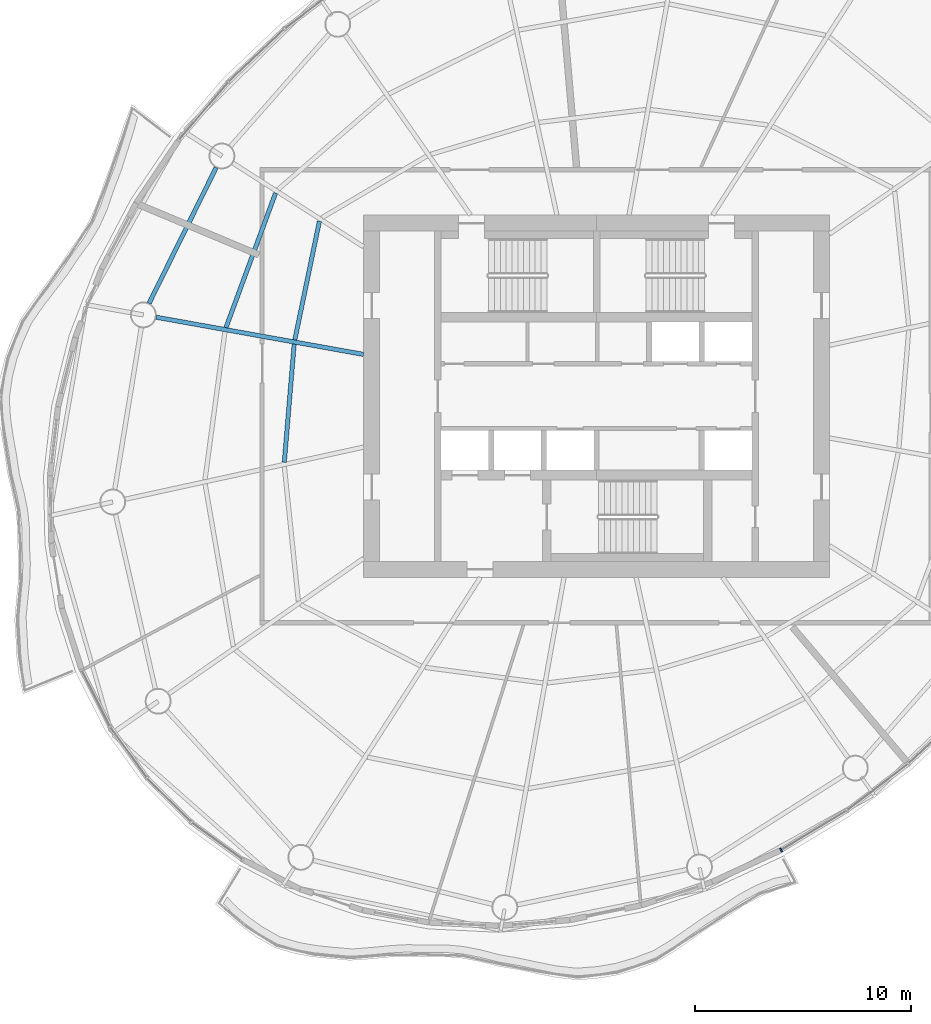
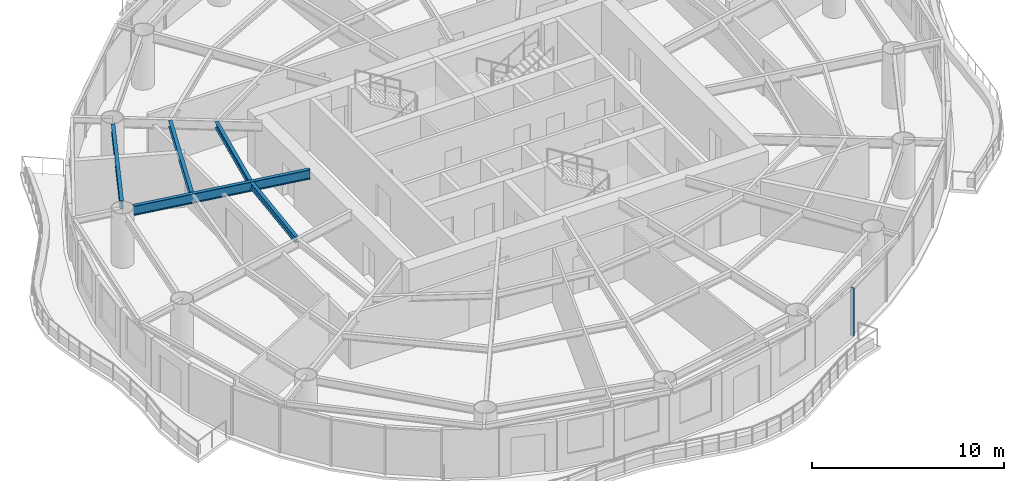
# One storey, part 3 of 14: 5 beams, 1 member, 1 element without a shape of its own.
"""IFC4 building model written with IfcOpenShell, lengths in metres."""

import ifcopenshell
import ifcopenshell.guid

model = None  # the IFC model being written
_history = None  # IfcOwnerHistory: only IFC2X3 demands one
_inside = {}  # id of a spatial element -> (the spatial element, [elements in it])
_under = {}  # id of a project, library or spatial element -> (it, [spatial elements below it])
_declared = {}  # id of a project -> (the project, [libraries it declares])
_typed = {}  # id of a type object -> (the type object, [elements of that type])
_made_of = {}  # id of a material, layer set ... -> (it, [elements and type objects made of it])


def new_model(schema):
    """Start an empty IFC model of exactly this schema.

    Asked for "IFC4X3", IfcOpenShell would pick the latest addendum, in which some entities
    have other attributes; the version numbers below select the first issue.
    IFC2X3 requires an IfcOwnerHistory on every rooted entity: one is made here for all.
    """
    global model, _history
    if schema == "IFC4X3":
        model = ifcopenshell.file(schema_version=(4, 3, 0, 0))
    else:
        model = ifcopenshell.file(schema=schema)
    _inside.clear()
    _under.clear()
    _declared.clear()
    _typed.clear()
    _made_of.clear()
    _history = None
    if model.schema == "IFC2X3":
        org = make("IfcOrganization", Name="unknown")
        user = make(
            "IfcPersonAndOrganization",
            ThePerson=make("IfcPerson", FamilyName="unknown"),
            TheOrganization=org,
        )
        app = make(
            "IfcApplication",
            ApplicationDeveloper=org,
            Version="unknown",
            ApplicationFullName="unknown",
            ApplicationIdentifier="unknown",
        )
        _history = make(
            "IfcOwnerHistory",
            OwningUser=user,
            OwningApplication=app,
            ChangeAction="ADDED",
            CreationDate=0,
        )
    return model


def make(cls, **values):
    """One entity of the class cls with the attributes given. An attribute that is None is left unset."""
    return model.create_entity(
        cls, **{name: value for name, value in values.items() if value is not None}
    )


def rooted(cls, **values):
    """An entity with a GlobalId (a new one), such as an element, a storey or a relation."""
    return make(cls, GlobalId=ifcopenshell.guid.new(), OwnerHistory=_history, **values)


def si_unit(unit_type, name, prefix=None):
    """IfcSIUnit, for example si_unit("LENGTHUNIT", "METRE", prefix="MILLI")."""
    return make("IfcSIUnit", UnitType=unit_type, Prefix=prefix, Name=name)


def assignment(units):
    """IfcUnitAssignment: the units of a project."""
    return None if units is None else make("IfcUnitAssignment", Units=units)


def point(xyz):
    """IfcCartesianPoint."""
    return None if xyz is None else make("IfcCartesianPoint", Coordinates=xyz)


def direction(xyz):
    """IfcDirection."""
    return None if xyz is None else make("IfcDirection", DirectionRatios=xyz)


def frame(location, z_axis=None, x_axis=None):
    """IfcAxis2Placement3D, a coordinate frame: its origin and axes. An axis left out is left unset."""
    return make(
        "IfcAxis2Placement3D",
        Location=point(location),
        Axis=direction(z_axis),
        RefDirection=direction(x_axis),
    )


def frame_2d(location, x_axis=None):
    """IfcAxis2Placement2D, a coordinate frame in the plane: its origin and x axis."""
    return make(
        "IfcAxis2Placement2D", Location=point(location), RefDirection=direction(x_axis)
    )


def origin():
    """The frame at (0, 0, 0) with its axes left unset."""
    return frame((0.0, 0.0, 0.0))


def origin_2d():
    """The frame at (0, 0) in the plane with its x axis left unset."""
    return frame_2d((0.0, 0.0))


def place(relative_to, where):
    """IfcLocalPlacement: puts the frame where relative to a parent placement (None: the world)."""
    return make(
        "IfcLocalPlacement", PlacementRelTo=relative_to, RelativePlacement=where
    )


def context(
    kind, dimensions, precision=None, world=None, true_north=None, identifier=None
):
    """IfcGeometricRepresentationContext, for example the 3D "Model" context."""
    return make(
        "IfcGeometricRepresentationContext",
        ContextIdentifier=identifier,
        ContextType=kind,
        CoordinateSpaceDimension=dimensions,
        Precision=precision,
        WorldCoordinateSystem=world,
        TrueNorth=true_north,
    )


def subcontext(parent, identifier, kind, view, scale=None):
    """IfcGeometricRepresentationSubContext, for example "Body" below "Model"."""
    return make(
        "IfcGeometricRepresentationSubContext",
        ContextIdentifier=identifier,
        ContextType=kind,
        ParentContext=parent,
        TargetScale=scale,
        TargetView=view,
    )


def project(units=None, contexts=None):
    """IfcProject with its units and contexts."""
    return rooted(
        "IfcProject",
        Name="project",
        RepresentationContexts=contexts,
        UnitsInContext=assignment(units),
    )


def spatial(cls, under=None, at=None, **own):
    """A site, building, storey or space (cls), placed at a placement, below another one or the project."""
    s = rooted(cls, ObjectPlacement=at, **own)
    if under is not None:
        _under.setdefault(under.id(), (under, []))[1].append(s)
    return s


def profile(cls, at=None, kind="AREA", **sizes):
    """A parametric profile (cls). Its sizes go by their IFC names, for example OverallWidth=200.0."""
    return make(cls, ProfileType=kind, Position=at, **sizes)


def rectangle(**sizes):
    """IfcRectangleProfileDef."""
    return profile("IfcRectangleProfileDef", **sizes)


def i_section(**sizes):
    """IfcIShapeProfileDef."""
    return profile("IfcIShapeProfileDef", **sizes)


def extrude(swept, where, along, depth):
    """IfcExtrudedAreaSolid: the profile swept, set in the frame where, extruded along a direction by depth."""
    return make(
        "IfcExtrudedAreaSolid",
        SweptArea=swept,
        Position=where,
        ExtrudedDirection=direction(along),
        Depth=depth,
    )


def shape(context_of_items, identifier, shape_type, items):
    """IfcShapeRepresentation: the items that make up one representation, for example the "Body"."""
    return make(
        "IfcShapeRepresentation",
        ContextOfItems=context_of_items,
        RepresentationIdentifier=identifier,
        RepresentationType=shape_type,
        Items=items,
    )


def material(Name=None, Category=None):
    """IfcMaterial."""
    return make("IfcMaterial", Name=Name, Category=Category)


def material_profile(
    of_material, cross_section, Name=None, Category=None, Priority=None
):
    """IfcMaterialProfile: a cross section and its material."""
    return make(
        "IfcMaterialProfile",
        Name=Name,
        Material=of_material,
        Profile=cross_section,
        Priority=Priority,
        Category=Category,
    )


def profile_set(profiles, Name=None, composite=None):
    """IfcMaterialProfileSet."""
    return make(
        "IfcMaterialProfileSet",
        Name=Name,
        MaterialProfiles=profiles,
        CompositeProfile=composite,
    )


def made_of(thing, what):
    """Note that an element or type object is made of a material, layer set ...; save() writes the relation."""
    if what is not None:
        _made_of.setdefault(what.id(), (what, []))[1].append(thing)
    return thing


def type_object(cls, material=None, **own):
    """A type object (cls), such as IfcWallType, which elements share."""
    return made_of(rooted(cls, **own), material)


def element(
    cls,
    number,
    at=None,
    inside=None,
    cuts=None,
    type_object=None,
    material=None,
    context=None,
    identifier="Body",
    shape_type=None,
    held_by="IfcProductDefinitionShape",
    body=None,
    shapes=None,
    **own,
):
    """One element of the class cls, such as IfcWall. Its Tag is "e" and its number.

    at: its placement. inside: the storey or other place that contains it. cuts: it is an
    opening in that element (IfcRelVoidsElement). A single representation is given by context,
    identifier, shape_type and body (its items); several are given by shapes. held_by: the class
    of the entity that holds the representations. save() writes the other relations.
    """
    e = rooted(cls, Tag="e%d" % number, ObjectPlacement=at, **own)
    if body is not None:
        shapes = [shape(context, identifier, shape_type, body)]
    if shapes is not None:
        e.Representation = make(held_by, Representations=shapes)
    if inside is not None:
        _inside.setdefault(inside.id(), (inside, []))[1].append(e)
    if cuts is not None:
        rooted(
            "IfcRelVoidsElement", RelatingBuildingElement=cuts, RelatedOpeningElement=e
        )
    if type_object is not None:
        _typed.setdefault(type_object.id(), (type_object, []))[1].append(e)
    return made_of(e, material)


def aggregate(whole, parts):
    """IfcRelAggregates: a whole, such as a stair, and the parts it consists of."""
    return rooted("IfcRelAggregates", RelatingObject=whole, RelatedObjects=parts)


def save(model, path):
    """Write the relations noted so far, then the file.

    IfcRelAggregates (storeys below a building ...), IfcRelContainedInSpatialStructure (elements
    in a storey), IfcRelDefinesByType, IfcRelAssociatesMaterial and IfcRelDeclares: one each for
    every whole, place, type object, material and project.
    """
    for whole, parts in _under.values():
        aggregate(whole, parts)
    for where, things in _inside.values():
        rooted(
            "IfcRelContainedInSpatialStructure",
            RelatedElements=things,
            RelatingStructure=where,
        )
    for kind, things in _typed.values():
        rooted("IfcRelDefinesByType", RelatedObjects=things, RelatingType=kind)
    for what, things in _made_of.values():
        rooted("IfcRelAssociatesMaterial", RelatedObjects=things, RelatingMaterial=what)
    for by, libraries in _declared.values():
        rooted("IfcRelDeclares", RelatingContext=by, RelatedDefinitions=libraries)
    model.write(path)


model = new_model("IFC4")

# Units and contexts
model_context = context("Model", 3, precision=1e-05, world=origin(), true_north=direction((0.0, 1.0)))
body_context = subcontext(model_context, "Body", "Model", "MODEL_VIEW")
ifc_project = project(units=[si_unit("LENGTHUNIT", "METRE"), si_unit("AREAUNIT", "SQUARE_METRE"), si_unit("VOLUMEUNIT", "CUBIC_METRE"), si_unit("PLANEANGLEUNIT", "RADIAN"), si_unit("MASSUNIT", "GRAM", prefix="KILO")], contexts=[model_context])

# Site, building, storey
site_placement = place(None, origin())
site = spatial("IfcSite", under=ifc_project, at=site_placement, CompositionType="ELEMENT")
building_placement = place(site_placement, origin())
building = spatial("IfcBuilding", under=site, at=building_placement, Name="Vermilion Reach Broadcast Tower", CompositionType="ELEMENT")
storey_placement = place(building_placement, frame((0.0, 0.0, 195.699951171875)))
storey = spatial("IfcBuildingStorey", under=building, at=storey_placement, Name="L47", CompositionType="ELEMENT", Elevation=195.699951171875)

# Beams
ifc_material_1 = material(Name="Steel S355J2", Category="steel")
ifc_material_profile_1 = material_profile(ifc_material_1, i_section(OverallWidth=0.199951171875, OverallDepth=0.60009765625, WebThickness=0.010986328125, FlangeThickness=0.01708984375, at=origin_2d()), Name="S355J2 HN 600x200x11x17")
ifc_profile_set_1 = profile_set([ifc_material_profile_1], Name="Steel S355J2")
beam_type_1 = type_object("IfcBeamType", Name="G4 HN 600x200x11x17", PredefinedType="BEAM", material=ifc_profile_set_1)
beam_1_placement = place(storey_placement, frame((-16.800048828125, 1.9375, 3.150146484375), z_axis=(-0.984291153273, 0.176552897422, 0.0), x_axis=(-0.176552897422, -0.984291153273, 0.0)))
element("IfcBeam", 1, at=beam_1_placement, inside=storey, type_object=beam_type_1, Name="Girder G4-06", PredefinedType="BEAM", context=body_context, shape_type="SweptSolid", body=[
    extrude(i_section(OverallWidth=0.199951171875, OverallDepth=0.60009765625, WebThickness=0.010986328125, FlangeThickness=0.01708984375, at=origin_2d()), origin(), (0.0, 0.0, 1.0), 9.765380859375),
])
ifc_material_2 = material(Name="Steel S355J2", Category="steel")
ifc_material_profile_2 = material_profile(ifc_material_2, i_section(OverallWidth=0.199951171875, OverallDepth=0.5, WebThickness=0.010009765625, FlangeThickness=0.01611328125, at=origin_2d()), Name="S355J2 HN 500x200x10x16")
ifc_profile_set_2 = profile_set([ifc_material_profile_2], Name="Steel S355J2")
beam_type_2 = type_object("IfcBeamType", Name="RB4 HN 500x200x10x16", PredefinedType="BEAM", material=ifc_profile_set_2)
beam_2_placement = place(storey_placement, frame((-23.628662109375, 10.595947265625, 3.199951171875), z_axis=(-0.442977497199, -0.896532730566, 0.0), x_axis=(0.896532730566, -0.442977497199, 0.0)))
element("IfcBeam", 2, at=beam_2_placement, inside=storey, type_object=beam_type_2, Name="Ring beam RB4-05", PredefinedType="BEAM", context=body_context, shape_type="SweptSolid", body=[
    extrude(i_section(OverallWidth=0.199951171875, OverallDepth=0.5, WebThickness=0.010009765625, FlangeThickness=0.01611328125, at=origin_2d()), origin(), (0.0, 0.0, 1.0), 7.0166015625),
])
ifc_material_3 = material(Name="Steel S355J2", Category="steel")
ifc_material_profile_3 = material_profile(ifc_material_3, i_section(OverallWidth=0.199951171875, OverallDepth=0.39990234375, WebThickness=0.008056640625, FlangeThickness=0.012939453125, at=origin_2d()), Name="S355J2 HN 400x200x8x13")
ifc_profile_set_3 = profile_set([ifc_material_profile_3], Name="Steel S355J2")
beam_type_3 = type_object("IfcBeamType", Name="SB4 HN 400x200x8x13", PredefinedType="BEAM", material=ifc_profile_set_3)
beam_3_placement = place(storey_placement, frame((-18.841064453125, 8.115478515625, 3.25), z_axis=(-0.20320860258, -0.979135467562, 0.0), x_axis=(0.979135467562, -0.20320860258, 0.0)))
element("IfcBeam", 3, at=beam_3_placement, inside=storey, type_object=beam_type_3, Name="Secondary beam SB4-05-1", PredefinedType="BEAM", context=body_context, shape_type="SweptSolid", body=[
    extrude(i_section(OverallWidth=0.199951171875, OverallDepth=0.39990234375, WebThickness=0.008056640625, FlangeThickness=0.012939453125, at=origin_2d()), origin(), (0.0, 0.0, 1.0), 5.622802734375),
])
beam_4_placement = place(storey_placement, frame((-20.8740234375, 9.419189453125, 3.25), z_axis=(-0.345833008621, -0.938296078084, 0.0), x_axis=(0.938296078084, -0.345833008621, 0.0)))
element("IfcBeam", 4, at=beam_4_placement, inside=storey, type_object=beam_type_3, Name="Secondary beam SB4-05-2", PredefinedType="BEAM", context=body_context, shape_type="SweptSolid", body=[
    extrude(i_section(OverallWidth=0.199951171875, OverallDepth=0.39990234375, WebThickness=0.008056640625, FlangeThickness=0.012939453125, at=origin_2d()), origin(), (0.0, 0.0, 1.0), 6.647216796875),
])
beam_5_placement = place(storey_placement, frame((-20.012451171875, 2.412109375, 3.25), z_axis=(-0.08339866655, -0.996516262997, 0.0), x_axis=(0.996516262997, -0.08339866655, 0.0)))
element("IfcBeam", 5, at=beam_5_placement, inside=storey, type_object=beam_type_3, Name="Secondary beam SB4-06-1", PredefinedType="BEAM", context=body_context, shape_type="SweptSolid", body=[
    extrude(i_section(OverallWidth=0.199951171875, OverallDepth=0.39990234375, WebThickness=0.008056640625, FlangeThickness=0.012939453125, at=origin_2d()), origin(), (0.0, 0.0, 1.0), 5.49169921875),
])

# Curtain wall, member
ifc_material_4 = material(Name="Low-e laminated clear glass in aluminium frame", Category="aluminium")
curtain_wall_type = type_object("IfcCurtainWallType", Name="Slot curtain wall", PredefinedType="NOTDEFINED", material=ifc_material_4)
curtain_wall_placement = place(storey_placement, origin())
curtain_wall = element("IfcCurtainWall", 6, at=curtain_wall_placement, inside=storey, type_object=curtain_wall_type, Name="Slot curtain wall L47 34", PredefinedType="NOTDEFINED")
ifc_material_5 = material(Name="Anodised aluminium", Category="aluminium")
ifc_material_profile_4 = material_profile(ifc_material_5, rectangle(XDim=0.199951171875, YDim=0.080078125, at=origin_2d()), Name="Slot mullion 80 x 200")
ifc_profile_set_4 = profile_set([ifc_material_profile_4], Name="Anodised aluminium")
member_type = type_object("IfcMemberType", Name="Slot mullion 80 x 200", PredefinedType="MULLION", material=ifc_profile_set_4)
member_placement = place(storey_placement, frame((2.556640625, -21.032958984375, 0.0), z_axis=(0.0, 0.0, 1.0), x_axis=(-0.4682228401, 0.883610418685, 0.0)))
member = element("IfcMember", 7, at=member_placement, type_object=member_type, Name="Slot mullion L47 34", PredefinedType="MULLION", context=body_context, shape_type="SweptSolid", body=[
    extrude(rectangle(XDim=0.199951171875, YDim=0.080078125, at=origin_2d()), origin(), (0.0, 0.0, 1.0), 3.050048828125),
])
aggregate(curtain_wall, [member])

save(model, "model.ifc")
